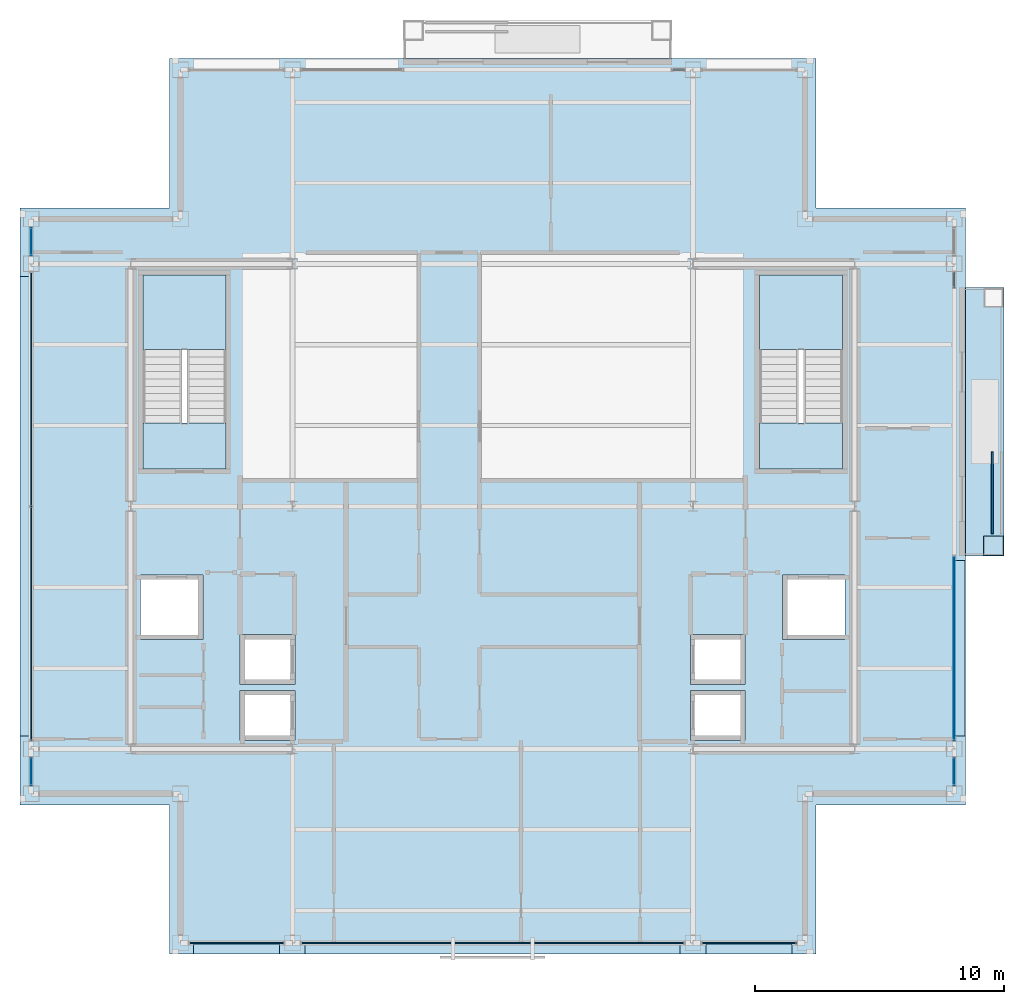
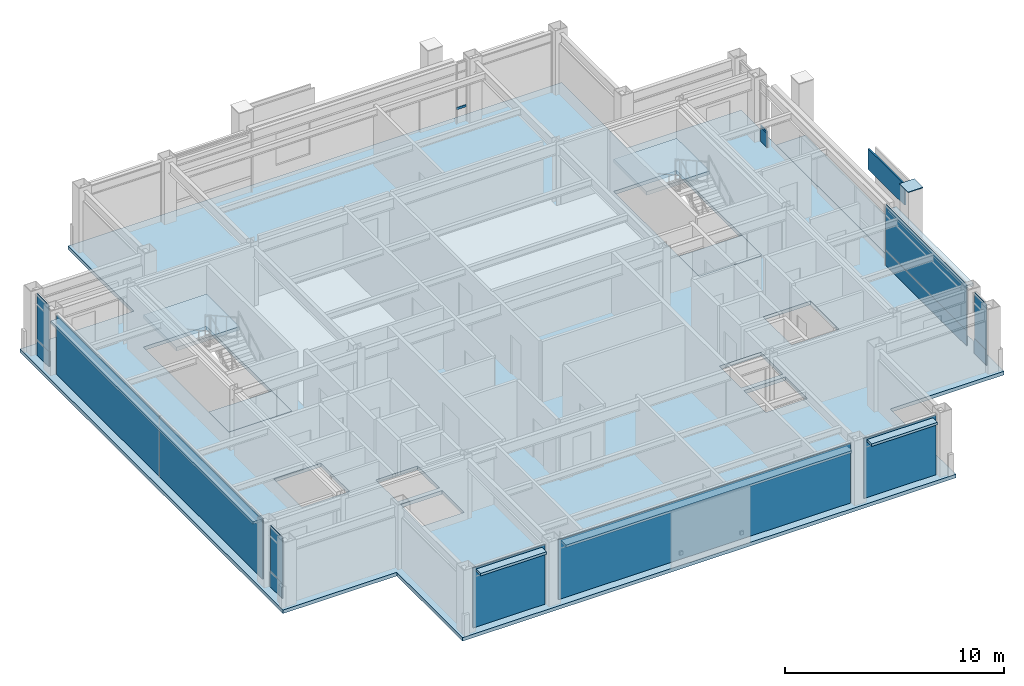
# One storey, part 17 of 24: 21 plates, 6 slabs, 2 members, 12 elements without a shape of their own.
"""IFC4 building model written with IfcOpenShell, lengths in metres."""

from ifc_helpers import new_model, si_unit, direction, frame, origin, origin_2d, place, context, subcontext, project, spatial, polyline, rectangle, hollow_rectangle, outline, extrude, material, layer, layer_set, material_profile, profile_set, type_object, element, aggregate, save


model = new_model("IFC4")

# Units and contexts
model_context = context("Model", 3, precision=1e-05, world=origin(), true_north=direction((0.0, 1.0)))
body_context = subcontext(model_context, "Body", "Model", "MODEL_VIEW")
ifc_project = project(units=[si_unit("LENGTHUNIT", "METRE"), si_unit("AREAUNIT", "SQUARE_METRE"), si_unit("VOLUMEUNIT", "CUBIC_METRE"), si_unit("PLANEANGLEUNIT", "RADIAN"), si_unit("MASSUNIT", "GRAM", prefix="KILO")], contexts=[model_context])

# Site, building, storey
site_placement = place(None, origin())
site = spatial("IfcSite", under=ifc_project, at=site_placement, CompositionType="ELEMENT")
building_placement = place(site_placement, origin())
building = spatial("IfcBuilding", under=site, at=building_placement, Name="Brelmoor Portico Tower", CompositionType="ELEMENT")
storey_placement = place(building_placement, frame((0.0, 0.0, 232.800048828125)))
storey = spatial("IfcBuildingStorey", under=building, at=storey_placement, Name="L61", CompositionType="ELEMENT", Elevation=232.800048828125)

# Curtain wall, member
ifc_material_1 = material(Name="Anodised Aluminium Alloy 6063-T6", Category="aluminium")
ifc_layer_1 = layer(ifc_material_1, 0.179931640625)
ifc_layer_set_1 = layer_set([ifc_layer_1], Name="Anodised Aluminium Alloy 6063-T6")
curtain_wall_type_1 = type_object("IfcCurtainWallType", Name="CW-TOWER-Z4", PredefinedType="NOTDEFINED", material=ifc_layer_set_1)
curtain_wall_1_placement = place(storey_placement, origin())
curtain_wall_1 = element("IfcCurtainWall", 1, at=curtain_wall_1_placement, inside=storey, type_object=curtain_wall_type_1, Name="L61 Curtain Wall CW-L61-2R-1", PredefinedType="NOTDEFINED")
ifc_material_profile = material_profile(ifc_material_1, hollow_rectangle(XDim=0.06005859375, YDim=0.125, WallThickness=0.00341796875, at=origin_2d()), Name="ALU TRANSOM 60x125")
ifc_profile_set = profile_set([ifc_material_profile], Name="Anodised Aluminium Alloy 6063-T6")
member_type = type_object("IfcMemberType", Name="MB-CW-TRAN-125", PredefinedType="USERDEFINED", material=ifc_profile_set)
member_1_placement = place(storey_placement, frame((7.199951171875, 17.550048828125, 0.849853515625), z_axis=(1.0, 0.0, 0.0), x_axis=(0.0, 1.0, 0.0)))
member_1 = element("IfcMember", 2, at=member_1_placement, type_object=member_type, Name="CW-L61-2R-1 Transom 1-00", ObjectType="TRANSOM", PredefinedType="USERDEFINED", context=body_context, shape_type="SweptSolid", body=[
    extrude(hollow_rectangle(XDim=0.06005859375, YDim=0.125, WallThickness=0.00341796875, at=origin_2d()), origin(), (0.0, 0.0, 1.0), 0.51513671875),
])
aggregate(curtain_wall_1, [member_1])

curtain_wall_2_placement = place(storey_placement, origin())
curtain_wall_2 = element("IfcCurtainWall", 3, at=curtain_wall_2_placement, inside=storey, type_object=curtain_wall_type_1, Name="L61 Curtain Wall CW-L61-4R-1", PredefinedType="NOTDEFINED")
member_2_placement = place(storey_placement, frame((18.550048828125, 8.800048828125, 0.849853515625), z_axis=(0.0, 1.0, 0.0), x_axis=(-1.0, 0.0, 0.0)))
member_2 = element("IfcMember", 4, at=member_2_placement, type_object=member_type, Name="CW-L61-4R-1 Transom 1-00", ObjectType="TRANSOM", PredefinedType="USERDEFINED", context=body_context, shape_type="SweptSolid", body=[
    extrude(hollow_rectangle(XDim=0.06005859375, YDim=0.125, WallThickness=0.00341796875, at=origin_2d()), origin(), (0.0, 0.0, 1.0), 0.614990234375),
])

# Plate
ifc_material_2 = material(Name="Steel Q355B", Category="steel")
ifc_layer_2 = layer(ifc_material_2, 0.044921875)
ifc_layer_set_2 = layer_set([ifc_layer_2], Name="Steel Q355B")
plate_type_1 = type_object("IfcPlateType", Name="PT-CAP-650", PredefinedType="SHEET", material=ifc_layer_set_2)
plate_1_placement = place(storey_placement, frame((20.1298828125, -1.580078125, 3.599853515625), z_axis=(0.0, 0.0, 1.0), x_axis=(0.0, 1.0, 0.0)))
element("IfcPlate", 5, at=plate_1_placement, inside=storey, type_object=plate_type_1, Name="L61 Proud Picture-Frame Pier PFJ-E1 Welded Head Cap Plate", PredefinedType="SHEET", context=body_context, shape_type="SweptSolid", body=[
    extrude(rectangle(XDim=0.7900390625, YDim=0.7900390625, at=origin_2d()), origin(), (0.0, 0.0, 1.0), 0.0400390625),
])

# Curtain wall, plate
curtain_wall_3_placement = place(storey_placement, origin())
curtain_wall_3 = element("IfcCurtainWall", 6, at=curtain_wall_3_placement, inside=storey, type_object=curtain_wall_type_1, Name="L61 Curtain Wall CW-L61-03-1", PredefinedType="NOTDEFINED")
ifc_material_3 = material(Name="Double-Silver Low-E Insulated Glazing", Category="glass")
ifc_layer_3 = layer(ifc_material_3, 0.035888671875)
ifc_layer_set_3 = layer_set([ifc_layer_3], Name="Double-Silver Low-E Insulated Glazing")
plate_type_2 = type_object("IfcPlateType", Name="PT-CW-GLASS", PredefinedType="CURTAIN_PANEL", material=ifc_layer_set_3)
plate_2_placement = place(storey_placement, frame((-18.550048828125, -10.64990234375, 0.85009765625), z_axis=(0.0, 0.0, 1.0), x_axis=(0.0, 1.0, 0.0)))
plate_2 = element("IfcPlate", 7, at=plate_2_placement, type_object=plate_type_2, Name="CW-L61-03-1 Vision Glass Panel 00", PredefinedType="CURTAIN_PANEL", context=body_context, shape_type="SweptSolid", body=[
    extrude(rectangle(XDim=1.10009765625, YDim=0.035888671875, at=origin_2d()), origin(), (0.0, 0.0, 1.0), 2.550048828125),
])

curtain_wall_4_placement = place(storey_placement, origin())
curtain_wall_4 = element("IfcCurtainWall", 8, at=curtain_wall_4_placement, inside=storey, type_object=curtain_wall_type_1, Name="L61 Curtain Wall CW-L61-03-3", PredefinedType="NOTDEFINED")
plate_3_placement = place(storey_placement, frame((-18.550048828125, 10.64990234375, 0.85009765625), z_axis=(0.0, 0.0, 1.0), x_axis=(0.0, 1.0, 0.0)))
plate_3 = element("IfcPlate", 9, at=plate_3_placement, type_object=plate_type_2, Name="CW-L61-03-3 Vision Glass Panel 00", PredefinedType="CURTAIN_PANEL", context=body_context, shape_type="SweptSolid", body=[
    extrude(rectangle(XDim=1.10009765625, YDim=0.035888671875, at=origin_2d()), origin(), (0.0, 0.0, 1.0), 2.550048828125),
])

curtain_wall_5_placement = place(storey_placement, origin())
curtain_wall_5 = element("IfcCurtainWall", 10, at=curtain_wall_5_placement, inside=storey, type_object=curtain_wall_type_1, Name="L61 Curtain Wall CW-L61-4L-1", PredefinedType="NOTDEFINED")
plate_4_placement = place(storey_placement, frame((18.550048828125, -10.64990234375, 0.85009765625), z_axis=(0.0, 0.0, 1.0), x_axis=(0.0, 1.0, 0.0)))
plate_4 = element("IfcPlate", 11, at=plate_4_placement, type_object=plate_type_2, Name="CW-L61-4L-1 Vision Glass Panel 00", PredefinedType="CURTAIN_PANEL", context=body_context, shape_type="SweptSolid", body=[
    extrude(rectangle(XDim=1.10009765625, YDim=0.035888671875, at=origin_2d()), origin(), (0.0, 0.0, 1.0), 2.550048828125),
])

curtain_wall_6_placement = place(storey_placement, origin())
curtain_wall_6 = element("IfcCurtainWall", 12, at=curtain_wall_6_placement, inside=storey, type_object=curtain_wall_type_1, Name="L61 Curtain Wall CW-L61-4L-2", PredefinedType="NOTDEFINED")
plate_5_placement = place(storey_placement, frame((18.550048828125, -5.70751953125, 0.85009765625), z_axis=(0.0, 0.0, 1.0), x_axis=(0.0, 1.0, 0.0)))
plate_5 = element("IfcPlate", 13, at=plate_5_placement, type_object=plate_type_2, Name="CW-L61-4L-2 Vision Glass Panel 00", PredefinedType="CURTAIN_PANEL", context=body_context, shape_type="SweptSolid", body=[
    extrude(rectangle(XDim=7.385009765625, YDim=0.035888671875, at=origin_2d()), origin(), (0.0, 0.0, 1.0), 2.550048828125),
])

ifc_layer_4 = layer(ifc_material_1, 0.179931640625)
ifc_layer_set_4 = layer_set([ifc_layer_4], Name="Anodised Aluminium Alloy 6063-T6")
curtain_wall_type_2 = type_object("IfcCurtainWallType", Name="CW-TOWER-Z4-XB", PredefinedType="NOTDEFINED", material=ifc_layer_set_4)
curtain_wall_7_placement = place(storey_placement, origin())
curtain_wall_7 = element("IfcCurtainWall", 14, at=curtain_wall_7_placement, inside=storey, type_object=curtain_wall_type_2, Name="L61 Curtain Wall CW-L61-01-1", PredefinedType="NOTDEFINED")
ifc_material_4 = material(Name="Pale Champagne Anodised Aluminium Panel", Category="aluminium")
ifc_layer_5 = layer(ifc_material_4, 0.050048828125)
ifc_layer_set_5 = layer_set([ifc_layer_5], Name="Pale Champagne Anodised Aluminium Panel")
plate_type_3 = type_object("IfcPlateType", Name="PT-CW-SPANDREL", PredefinedType="SHEET", material=ifc_layer_set_5)
plate_6_placement = place(storey_placement, frame((-10.300048828125, -17.550048828125, 0.0), z_axis=(0.0, 0.0, 1.0), x_axis=(1.0, 0.0, 0.0)))
plate_6 = element("IfcPlate", 15, at=plate_6_placement, type_object=plate_type_3, Name="CW-L61-01-1 Spandrel Panel 00", PredefinedType="SHEET", context=body_context, shape_type="SweptSolid", body=[
    extrude(rectangle(XDim=3.800048828125, YDim=0.050048828125, at=origin_2d()), origin(), (0.0, 0.0, 1.0), 3.33740234375),
])
aggregate(curtain_wall_7, [plate_6])

curtain_wall_8_placement = place(storey_placement, origin())
curtain_wall_8 = element("IfcCurtainWall", 16, at=curtain_wall_8_placement, inside=storey, type_object=curtain_wall_type_2, Name="L61 Curtain Wall CW-L61-01-2", PredefinedType="NOTDEFINED")
plate_7_placement = place(storey_placement, frame((0.0, -17.550048828125, 0.0), z_axis=(0.0, 0.0, 1.0), x_axis=(1.0, 0.0, 0.0)))
plate_7 = element("IfcPlate", 17, at=plate_7_placement, type_object=plate_type_3, Name="CW-L61-01-2 Spandrel Panel 00", PredefinedType="SHEET", context=body_context, shape_type="SweptSolid", body=[
    extrude(rectangle(XDim=15.39990234375, YDim=0.050048828125, at=origin_2d()), origin(), (0.0, 0.0, 1.0), 3.33740234375),
])
aggregate(curtain_wall_8, [plate_7])

curtain_wall_9_placement = place(storey_placement, origin())
curtain_wall_9 = element("IfcCurtainWall", 18, at=curtain_wall_9_placement, inside=storey, type_object=curtain_wall_type_2, Name="L61 Curtain Wall CW-L61-01-3", PredefinedType="NOTDEFINED")
plate_8_placement = place(storey_placement, frame((10.300048828125, -17.550048828125, 0.0), z_axis=(0.0, 0.0, 1.0), x_axis=(1.0, 0.0, 0.0)))
plate_8 = element("IfcPlate", 19, at=plate_8_placement, type_object=plate_type_3, Name="CW-L61-01-3 Spandrel Panel 00", PredefinedType="SHEET", context=body_context, shape_type="SweptSolid", body=[
    extrude(rectangle(XDim=3.800048828125, YDim=0.050048828125, at=origin_2d()), origin(), (0.0, 0.0, 1.0), 3.33740234375),
])
aggregate(curtain_wall_9, [plate_8])

# Plate
plate_9_placement = place(storey_placement, frame((-18.550048828125, -10.64990234375, 0.0), z_axis=(0.0, 0.0, 1.0), x_axis=(0.0, 1.0, 0.0)))
plate_9 = element("IfcPlate", 20, at=plate_9_placement, type_object=plate_type_3, Name="CW-L61-03-1 Spandrel Panel 00", PredefinedType="SHEET", context=body_context, shape_type="SweptSolid", body=[
    extrude(rectangle(XDim=1.10009765625, YDim=0.050048828125, at=origin_2d()), origin(), (0.0, 0.0, 1.0), 0.85009765625),
])

aggregate(curtain_wall_3, [plate_9, plate_2])

# Curtain wall, plates
curtain_wall_10_placement = place(storey_placement, origin())
curtain_wall_10 = element("IfcCurtainWall", 21, at=curtain_wall_10_placement, inside=storey, type_object=curtain_wall_type_2, Name="L61 Curtain Wall CW-L61-03-2", PredefinedType="NOTDEFINED")
plate_10_placement = place(storey_placement, frame((-18.550048828125, -4.70751953125, 0.0), z_axis=(0.0, 0.0, 1.0), x_axis=(0.0, 1.0, 0.0)))
plate_10 = element("IfcPlate", 22, at=plate_10_placement, type_object=plate_type_3, Name="CW-L61-03-2 Spandrel Panel 00", PredefinedType="SHEET", context=body_context, shape_type="SweptSolid", body=[
    extrude(rectangle(XDim=9.385009765625, YDim=0.050048828125, at=origin_2d()), origin(), (0.0, 0.0, 1.0), 3.33740234375),
])
plate_11_placement = place(storey_placement, frame((-18.550048828125, 4.70751953125, 0.0), z_axis=(0.0, 0.0, 1.0), x_axis=(0.0, 1.0, 0.0)))
plate_11 = element("IfcPlate", 23, at=plate_11_placement, type_object=plate_type_3, Name="CW-L61-03-2 Spandrel Panel 01", PredefinedType="SHEET", context=body_context, shape_type="SweptSolid", body=[
    extrude(rectangle(XDim=9.385009765625, YDim=0.050048828125, at=origin_2d()), origin(), (0.0, 0.0, 1.0), 3.33740234375),
])
aggregate(curtain_wall_10, [plate_10, plate_11])

# Plate
plate_12_placement = place(storey_placement, frame((-18.550048828125, 10.64990234375, 0.0), z_axis=(0.0, 0.0, 1.0), x_axis=(0.0, 1.0, 0.0)))
plate_12 = element("IfcPlate", 24, at=plate_12_placement, type_object=plate_type_3, Name="CW-L61-03-3 Spandrel Panel 00", PredefinedType="SHEET", context=body_context, shape_type="SweptSolid", body=[
    extrude(rectangle(XDim=1.10009765625, YDim=0.050048828125, at=origin_2d()), origin(), (0.0, 0.0, 1.0), 0.85009765625),
])

aggregate(curtain_wall_4, [plate_12, plate_3])

plate_13_placement = place(storey_placement, frame((18.550048828125, -10.64990234375, 0.0), z_axis=(0.0, 0.0, 1.0), x_axis=(0.0, 1.0, 0.0)))
plate_13 = element("IfcPlate", 25, at=plate_13_placement, type_object=plate_type_3, Name="CW-L61-4L-1 Spandrel Panel 00", PredefinedType="SHEET", context=body_context, shape_type="SweptSolid", body=[
    extrude(rectangle(XDim=1.10009765625, YDim=0.050048828125, at=origin_2d()), origin(), (0.0, 0.0, 1.0), 0.85009765625),
])

aggregate(curtain_wall_5, [plate_13, plate_4])

plate_14_placement = place(storey_placement, frame((18.550048828125, -5.70751953125, 0.0), z_axis=(0.0, 0.0, 1.0), x_axis=(0.0, 1.0, 0.0)))
plate_14 = element("IfcPlate", 26, at=plate_14_placement, type_object=plate_type_3, Name="CW-L61-4L-2 Spandrel Panel 00", PredefinedType="SHEET", context=body_context, shape_type="SweptSolid", body=[
    extrude(rectangle(XDim=7.385009765625, YDim=0.050048828125, at=origin_2d()), origin(), (0.0, 0.0, 1.0), 0.85009765625),
])

aggregate(curtain_wall_6, [plate_14, plate_5])

plate_15_placement = place(storey_placement, frame((18.550048828125, 9.107421875, 0.0), z_axis=(0.0, 0.0, 1.0), x_axis=(0.0, 1.0, 0.0)))
plate_15 = element("IfcPlate", 27, at=plate_15_placement, type_object=plate_type_3, Name="CW-L61-4R-1 Spandrel Panel 00", PredefinedType="SHEET", context=body_context, shape_type="SweptSolid", body=[
    extrude(rectangle(XDim=0.5849609375, YDim=0.050048828125, at=origin_2d()), origin(), (0.0, 0.0, 1.0), 0.85009765625),
])

aggregate(curtain_wall_2, [member_2, plate_15])

# Plates
ifc_material_5 = material(Name="Powder-Coated Aluminium Shuttered Jalousie Louvre", Category="aluminium")
ifc_layer_6 = layer(ifc_material_5, 0.06005859375)
ifc_layer_set_6 = layer_set([ifc_layer_6], Name="Powder-Coated Aluminium Shuttered Jalousie Louvre")
plate_type_4 = type_object("IfcPlateType", Name="PT-JALOUSIE-SHUTTER", PredefinedType="SHEET", material=ifc_layer_set_6)
plate_16_placement = place(storey_placement, frame((20.080078125, 0.550048828125, 2.27490234375), z_axis=(0.0, 0.0, 1.0), x_axis=(0.0, 1.0, 0.0)))
element("IfcPlate", 28, at=plate_16_placement, inside=storey, type_object=plate_type_4, Name="L61 Shuttered Veranda Screen E", PredefinedType="SHEET", context=body_context, shape_type="SweptSolid", body=[
    extrude(rectangle(XDim=3.300048828125, YDim=0.080078125, at=origin_2d()), origin(), (0.0, 0.0, 1.0), 1.14990234375),
])
ifc_material_6 = material(Name="Pale Champagne Perforated Aluminium Solar Screen", Category="aluminium")
ifc_layer_7 = layer(ifc_material_6, 0.054931640625)
ifc_layer_set_7 = layer_set([ifc_layer_7], Name="Pale Champagne Perforated Aluminium Solar Screen")
plate_type_5 = type_object("IfcPlateType", Name="PT-SOLAR-LOUVRE", PredefinedType="SHEET", material=ifc_layer_set_7)
plate_17_placement = place(storey_placement, frame((-10.300048828125, -17.760009765625, 3.08984375), z_axis=(0.0, 0.0, 1.0), x_axis=(1.0, 0.0, 0.0)))
element("IfcPlate", 29, at=plate_17_placement, inside=storey, type_object=plate_type_5, Name="CW-L61-01-1 Caribbean Brise-Soleil Solar Screen", PredefinedType="SHEET", context=body_context, shape_type="SweptSolid", body=[
    extrude(rectangle(XDim=3.469970703125, YDim=0.4599609375, at=origin_2d()), origin(), (0.0, 0.0, 1.0), 0.139892578125),
])
plate_18_placement = place(storey_placement, frame((0.0, -17.760009765625, 3.08984375), z_axis=(0.0, 0.0, 1.0), x_axis=(1.0, 0.0, 0.0)))
element("IfcPlate", 30, at=plate_18_placement, inside=storey, type_object=plate_type_5, Name="CW-L61-01-2 Caribbean Brise-Soleil Solar Screen", PredefinedType="SHEET", context=body_context, shape_type="SweptSolid", body=[
    extrude(rectangle(XDim=15.070068359375, YDim=0.4599609375, at=origin_2d()), origin(), (0.0, 0.0, 1.0), 0.139892578125),
])
plate_19_placement = place(storey_placement, frame((10.300048828125, -17.760009765625, 3.08984375), z_axis=(0.0, 0.0, 1.0), x_axis=(1.0, 0.0, 0.0)))
element("IfcPlate", 31, at=plate_19_placement, inside=storey, type_object=plate_type_5, Name="CW-L61-01-3 Caribbean Brise-Soleil Solar Screen", PredefinedType="SHEET", context=body_context, shape_type="SweptSolid", body=[
    extrude(rectangle(XDim=3.469970703125, YDim=0.4599609375, at=origin_2d()), origin(), (0.0, 0.0, 1.0), 0.139892578125),
])
plate_20_placement = place(storey_placement, frame((-18.760009765625, 0.0, 3.08984375), z_axis=(0.0, 0.0, 1.0), x_axis=(0.0, 1.0, 0.0)))
element("IfcPlate", 32, at=plate_20_placement, inside=storey, type_object=plate_type_5, Name="CW-L61-03-2 Caribbean Brise-Soleil Solar Screen", PredefinedType="SHEET", context=body_context, shape_type="SweptSolid", body=[
    extrude(rectangle(XDim=18.469970703125, YDim=0.4599609375, at=origin_2d()), origin(), (0.0, 0.0, 1.0), 0.139892578125),
])
plate_21_placement = place(storey_placement, frame((18.760009765625, -5.70751953125, 3.08984375), z_axis=(0.0, 0.0, 1.0), x_axis=(0.0, 1.0, 0.0)))
element("IfcPlate", 33, at=plate_21_placement, inside=storey, type_object=plate_type_5, Name="CW-L61-4L-2 Caribbean Brise-Soleil Solar Screen", PredefinedType="SHEET", context=body_context, shape_type="SweptSolid", body=[
    extrude(rectangle(XDim=7.054931640625, YDim=0.4599609375, at=origin_2d()), origin(), (0.0, 0.0, 1.0), 0.139892578125),
])

# Slabs
ifc_material_7 = material(Name="Concrete C40", Category="concrete")
ifc_layer_8 = layer(ifc_material_7, 0.199951171875)
ifc_layer_set_8 = layer_set([ifc_layer_8], Name="Concrete C40")
slab_type_1 = type_object("IfcSlabType", Name="SL-BALCONY-200", PredefinedType="FLOOR", material=ifc_layer_set_8)
slab_1_placement = place(storey_placement, frame((0.0, 0.0, -0.199951171875)))
element("IfcSlab", 34, at=slab_1_placement, inside=storey, type_object=slab_type_1, Name="L61 Loggia Tree Balcony Slab E", PredefinedType="FLOOR", context=body_context, shape_type="SweptSolid", body=[
    extrude(outline(polyline([(19.0, -2.0), (20.550048828125, -2.0), (20.550048828125, 8.800048828125), (19.0, 8.800048828125), (19.0, -2.0)])), origin(), (0.0, 0.0, 1.0), 0.199951171875),
])
ifc_layer_9 = layer(ifc_material_7, 0.199951171875)
ifc_layer_set_9 = layer_set([ifc_layer_9], Name="Concrete C40")
slab_type_2 = type_object("IfcSlabType", Name="SL-FLOOR-200", PredefinedType="FLOOR", material=ifc_layer_set_9)
slab_2_placement = place(storey_placement, frame((0.0, 0.0, -0.199951171875)))
element("IfcSlab", 35, at=slab_2_placement, inside=storey, type_object=slab_type_2, Name="L61 Main Structural Floor Slab", PredefinedType="FLOOR", context=body_context, shape_type="SweptSolid", body=[
    extrude(outline(polyline([(-13.0, -18.0), (13.0, -18.0), (13.0, -12.0), (19.0, -12.0), (19.0, 12.0), (13.0, 12.0), (13.0, 18.0), (-13.0, 18.0), (-13.0, 12.0), (-19.0, 12.0), (-19.0, -12.0), (-13.0, -12.0), (-13.0, -18.0)]), holes=[polyline([(-10.72998046875, 1.5), (-10.72998046875, 9.300048828125), (-14.050048828125, 9.300048828125), (-14.050048828125, 1.5), (-10.72998046875, 1.5)]), polyline([(14.050048828125, 1.5), (14.050048828125, 9.300048828125), (10.72998046875, 9.300048828125), (10.72998046875, 1.5), (14.050048828125, 1.5)]), polyline([(-10.14990234375, -9.39990234375), (-7.949951171875, -9.39990234375), (-7.949951171875, -7.39990234375), (-10.14990234375, -7.39990234375), (-10.14990234375, -9.39990234375)]), polyline([(-10.14990234375, -7.14990234375), (-7.949951171875, -7.14990234375), (-7.949951171875, -5.14990234375), (-10.14990234375, -5.14990234375), (-10.14990234375, -7.14990234375)]), polyline([(7.949951171875, -9.39990234375), (10.14990234375, -9.39990234375), (10.14990234375, -7.39990234375), (7.949951171875, -7.39990234375), (7.949951171875, -9.39990234375)]), polyline([(7.949951171875, -7.14990234375), (10.14990234375, -7.14990234375), (10.14990234375, -5.14990234375), (7.949951171875, -5.14990234375), (7.949951171875, -7.14990234375)]), polyline([(-14.14990234375, -5.35009765625), (-11.64990234375, -5.35009765625), (-11.64990234375, -2.75), (-14.14990234375, -2.75), (-14.14990234375, -5.35009765625)]), polyline([(11.64990234375, -5.35009765625), (14.14990234375, -5.35009765625), (14.14990234375, -2.75), (11.64990234375, -2.75), (11.64990234375, -5.35009765625)])]), origin(), (0.0, 0.0, 1.0), 0.199951171875),
])

# Stair, slab
stair_type_1 = type_object("IfcStairType", Name="ST-CORE-W", PredefinedType="HALF_TURN_STAIR", material=ifc_material_7)
stair_1_placement = place(storey_placement, origin())
stair_1 = element("IfcStair", 36, at=stair_1_placement, inside=storey, type_object=stair_type_1, Name="L61 Protected Core Exit Stair ST-W", PredefinedType="HALF_TURN_STAIR")
ifc_layer_10 = layer(ifc_material_7, 0.179931640625)
ifc_layer_set_10 = layer_set([ifc_layer_10], Name="Concrete C40")
slab_type_3 = type_object("IfcSlabType", Name="SL-LANDING-180", PredefinedType="LANDING", material=ifc_layer_set_10)
slab_3_placement = place(storey_placement, frame((0.0, 0.0, 1.599853515625)))
slab_3 = element("IfcSlab", 37, at=slab_3_placement, type_object=slab_type_3, Name="ST-W landing 1", PredefinedType="LANDING", context=body_context, shape_type="SweptSolid", body=[
    extrude(outline(polyline([(-10.72998046875, 6.300048828125), (-10.72998046875, 9.300048828125), (-14.050048828125, 9.300048828125), (-14.050048828125, 6.300048828125), (-10.72998046875, 6.300048828125)])), origin(), (0.0, 0.0, 1.0), 0.2001953125),
])
aggregate(stair_1, [slab_3])

stair_type_2 = type_object("IfcStairType", Name="ST-CORE-E", PredefinedType="HALF_TURN_STAIR", material=ifc_material_7)
stair_2_placement = place(storey_placement, origin())
stair_2 = element("IfcStair", 38, at=stair_2_placement, inside=storey, type_object=stair_type_2, Name="L61 Protected Core Exit Stair ST-E", PredefinedType="HALF_TURN_STAIR")
slab_4_placement = place(storey_placement, frame((0.0, 0.0, 1.599853515625)))
slab_4 = element("IfcSlab", 39, at=slab_4_placement, type_object=slab_type_3, Name="ST-E landing 1", PredefinedType="LANDING", context=body_context, shape_type="SweptSolid", body=[
    extrude(outline(polyline([(14.050048828125, 6.300048828125), (14.050048828125, 9.300048828125), (10.72998046875, 9.300048828125), (10.72998046875, 6.300048828125), (14.050048828125, 6.300048828125)])), origin(), (0.0, 0.0, 1.0), 0.2001953125),
])
aggregate(stair_2, [slab_4])

# Slabs
ifc_layer_11 = layer(ifc_material_7, 0.199951171875)
ifc_layer_set_11 = layer_set([ifc_layer_11], Name="Concrete C40")
slab_type_4 = type_object("IfcSlabType", Name="SL-STAIR-FL200", PredefinedType="LANDING", material=ifc_layer_set_11)
slab_5_placement = place(storey_placement, frame((0.0, 0.0, -0.199951171875)))
element("IfcSlab", 40, at=slab_5_placement, inside=storey, type_object=slab_type_4, Name="L61 ST-W Structural Floor Landing Slab", PredefinedType="LANDING", context=body_context, shape_type="SweptSolid", body=[
    extrude(outline(polyline([(-10.72998046875, 1.5), (-10.72998046875, 3.35009765625), (-14.050048828125, 3.35009765625), (-14.050048828125, 1.5), (-10.72998046875, 1.5)])), origin(), (0.0, 0.0, 1.0), 0.199951171875),
])
slab_6_placement = place(storey_placement, frame((0.0, 0.0, -0.199951171875)))
element("IfcSlab", 41, at=slab_6_placement, inside=storey, type_object=slab_type_4, Name="L61 ST-E Structural Floor Landing Slab", PredefinedType="LANDING", context=body_context, shape_type="SweptSolid", body=[
    extrude(outline(polyline([(14.050048828125, 1.5), (14.050048828125, 3.35009765625), (10.72998046875, 3.35009765625), (10.72998046875, 1.5), (14.050048828125, 1.5)])), origin(), (0.0, 0.0, 1.0), 0.199951171875),
])

save(model, "model.ifc")
